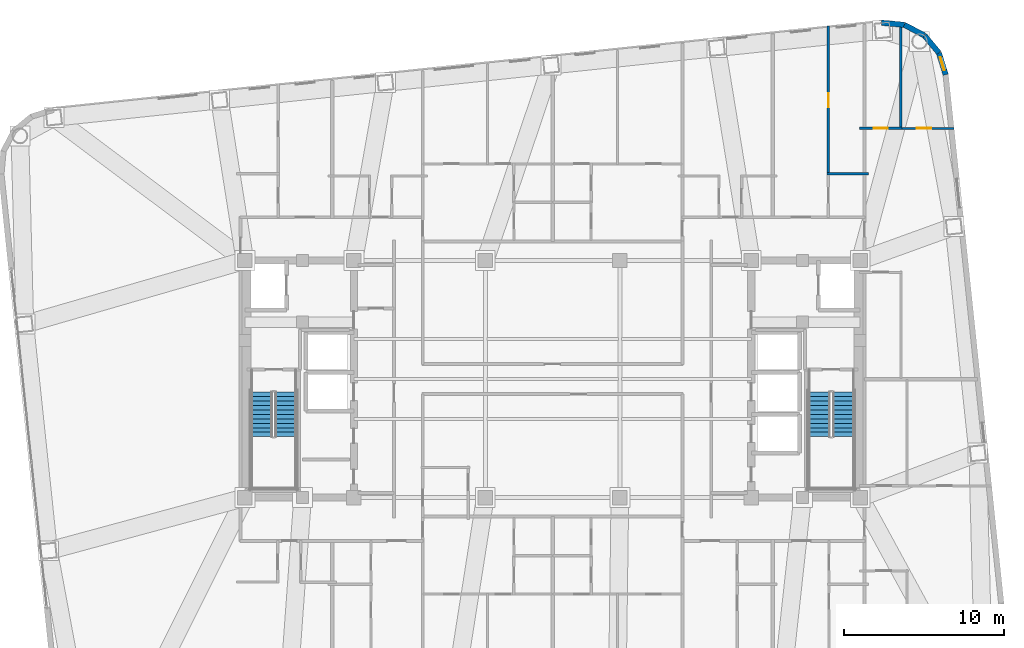
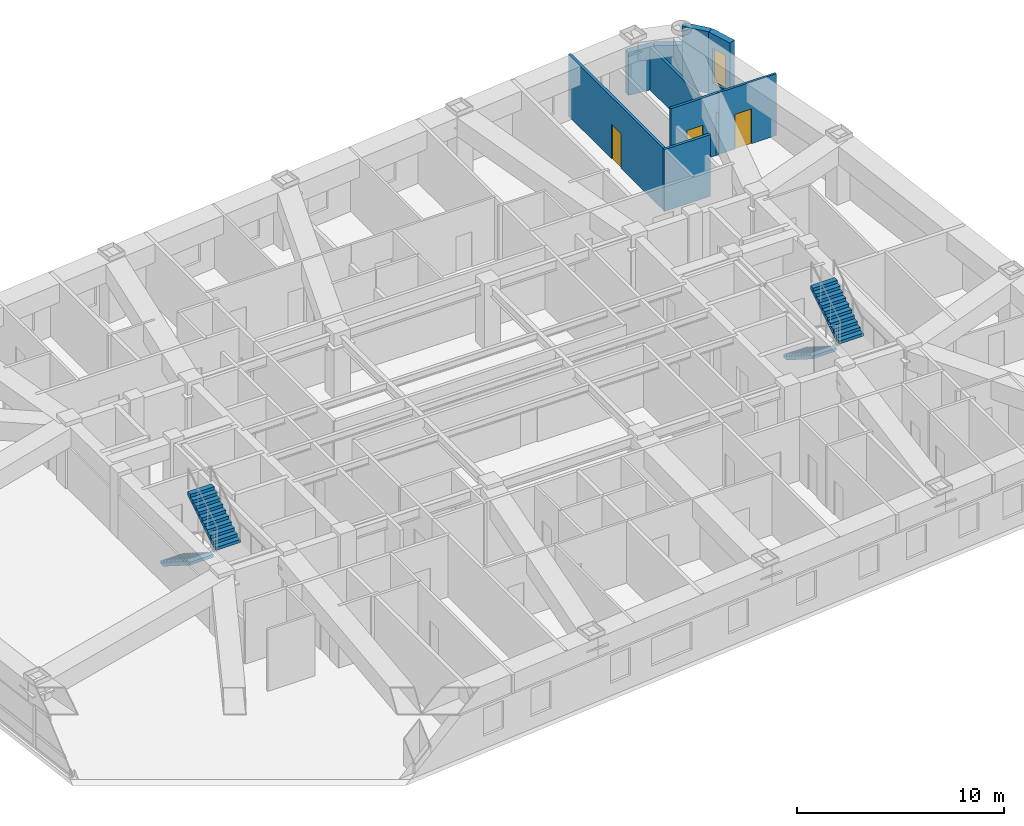
# One storey, part 12 of 14: 9 walls, 4 stair flights, 3 doors, 1 window, 4 openings, 2 elements without a shape of their own.
"""IFC4 building model written with IfcOpenShell, lengths in metres."""

from ifc_helpers import new_model, si_unit, direction, frame, frame_2d, origin, place, context, subcontext, project, spatial, polyline, rectangle, outline, extrude, material, layer, layer_set, type_object, element, fill, aggregate, save


model = new_model("IFC4")

# Units and contexts
model_context = context("Model", 3, precision=1e-05, world=origin(), true_north=direction((0.0, 1.0)))
body_context = subcontext(model_context, "Body", "Model", "MODEL_VIEW")
ifc_project = project(units=[si_unit("LENGTHUNIT", "METRE"), si_unit("AREAUNIT", "SQUARE_METRE"), si_unit("VOLUMEUNIT", "CUBIC_METRE"), si_unit("PLANEANGLEUNIT", "RADIAN"), si_unit("MASSUNIT", "GRAM", prefix="KILO")], contexts=[model_context])

# Site, building, storey
site_placement = place(None, origin())
site = spatial("IfcSite", under=ifc_project, at=site_placement, CompositionType="ELEMENT")
building_placement = place(site_placement, origin())
building = spatial("IfcBuilding", under=site, at=building_placement, Name="Voryun Gate Residences", CompositionType="ELEMENT")
storey_placement = place(building_placement, frame((0.0, 0.0, 144.300048828125)))
storey = spatial("IfcBuildingStorey", under=building, at=storey_placement, Name="L35", CompositionType="ELEMENT", Elevation=144.300048828125)

# Walls
ifc_material_1 = material(Name="Charcoal terracotta masonry", Category="masonry")
ifc_layer_1 = layer(ifc_material_1, 0.340087890625, Name="W_EXT_TERRACOTTA_340")
ifc_layer_set_1 = layer_set([ifc_layer_1], Name="Charcoal terracotta masonry")
wall_type_1 = type_object("IfcWallType", Name="W_EXT_TERRACOTTA_340", PredefinedType="ELEMENTEDWALL", material=ifc_layer_set_1)
wall_1_placement = place(storey_placement, frame((20.5263671875, 22.235107421875, 0.0), z_axis=(0.0, 0.0, 1.0), x_axis=(0.995800460351, -0.091550222087, 0.0)))
element("IfcWall", 1, at=wall_1_placement, inside=storey, type_object=wall_type_1, Name="Exterior wall WEXT-L35-12", PredefinedType="ELEMENTEDWALL", context=body_context, shape_type="SweptSolid", body=[
    extrude(rectangle(XDim=1.43212890625, YDim=0.340087890625, at=frame_2d((0.716064453125, 0.0))), origin(), (0.0, 0.0, 1.0), 2.5400390625),
])
wall_2_placement = place(storey_placement, frame((21.952392578125, 22.10400390625, 0.0), z_axis=(0.0, 0.0, 1.0), x_axis=(0.885023004245, -0.465547292933, 0.0)))
element("IfcWall", 2, at=wall_2_placement, inside=storey, type_object=wall_type_1, Name="Exterior wall WEXT-L35-13", PredefinedType="ELEMENTEDWALL", context=body_context, shape_type="SweptSolid", body=[
    extrude(rectangle(XDim=1.414794921875, YDim=0.340087890625, at=frame_2d((0.70751953125, 0.0))), origin(), (0.0, 0.0, 1.0), 2.5400390625),
])
wall_3_placement = place(storey_placement, frame((23.20458984375, 21.4453125, 0.0), z_axis=(0.0, 0.0, 1.0), x_axis=(0.639539337522, -0.768758372808, 0.0)))
element("IfcWall", 3, at=wall_3_placement, inside=storey, type_object=wall_type_1, Name="Exterior wall WEXT-L35-14", PredefinedType="ELEMENTEDWALL", context=body_context, shape_type="SweptSolid", body=[
    extrude(rectangle(XDim=1.4150390625, YDim=0.340087890625, at=frame_2d((0.70751953125, 0.0))), origin(), (0.0, 0.0, 1.0), 3.64990234375),
])

# Wall, opening, window
wall_4_placement = place(storey_placement, frame((24.109619140625, 20.357421875, 0.0), z_axis=(0.0, 0.0, 1.0), x_axis=(0.296420660287, -0.955057481074, 0.0)))
wall_4 = element("IfcWall", 4, at=wall_4_placement, inside=storey, type_object=wall_type_1, Name="Exterior wall WEXT-L35-15", PredefinedType="ELEMENTEDWALL", context=body_context, shape_type="SweptSolid", body=[
    extrude(rectangle(XDim=1.432373046875, YDim=0.340087890625, at=frame_2d((0.71630859375, 0.0))), origin(), (0.0, 0.0, 1.0), 3.64990234375),
])
opening_1_placement = place(wall_4_placement, frame((0.291015625, 0.0, 0.75)))
opening_1 = element("IfcOpeningElement", 5, at=opening_1_placement, cuts=wall_4, Name="Opening WN9", PredefinedType="OPENING", context=body_context, shape_type="SweptSolid", body=[
    extrude(rectangle(XDim=0.85009765625, YDim=2.050048828125, at=frame_2d((0.425048828125, 1.02490234375))), frame((0.0, 0.179931640625, 0.0), z_axis=(0.0, -1.0, 0.0), x_axis=(1.0, 0.0, 0.0)), (0.0, 0.0, 1.0), 0.360107421875),
])
ifc_material_2 = material(Name="Laminated low-E glass", Category="glass")
window_type = type_object("IfcWindowType", Name="WN_RES_CASEMENT_850", PartitioningType="SINGLE_PANEL", PredefinedType="WINDOW", material=ifc_material_2)
window_placement = place(opening_1_placement, origin())
window = element("IfcWindow", 6, at=window_placement, inside=storey, type_object=window_type, Name="Window WN-L35-DWFIX-21", OverallHeight=2.050048828125, OverallWidth=0.85009765625, PartitioningType="SINGLE_PANEL", PredefinedType="WINDOW", context=body_context, shape_type="SweptSolid", body=[
    extrude(rectangle(XDim=0.85009765625, YDim=2.050048828125, at=frame_2d((0.425048828125, 1.02490234375))), frame((0.0, 0.030029296875, 0.0), z_axis=(0.0, -1.0, 0.0), x_axis=(1.0, 0.0, 0.0)), (0.0, 0.0, 1.0), 0.06005859375),
])
fill(opening_1, window)

# Wall, opening, door
ifc_material_3 = material(Name="Gypsum acoustic partition")
ifc_layer_2 = layer(ifc_material_3, 0.125, Name="W_UNIT_PART_125")
ifc_layer_set_2 = layer_set([ifc_layer_2], Name="Gypsum acoustic partition")
wall_type_2 = type_object("IfcWallType", Name="W_UNIT_PART_125", PredefinedType="PARTITIONING", material=ifc_layer_set_2)
wall_5_placement = place(storey_placement, frame((21.6689453125, 15.64208984375, 0.0), z_axis=(0.0, 0.0, 1.0), x_axis=(1.0, 0.0, 0.0)))
wall_5 = element("IfcWall", 7, at=wall_5_placement, inside=storey, type_object=wall_type_2, Name="Partition wall WP-L35-E2-OHZ", PredefinedType="PARTITIONING", context=body_context, shape_type="SweptSolid", body=[
    extrude(rectangle(XDim=3.367919921875, YDim=0.125, at=frame_2d((1.68408203125, 0.0))), origin(), (0.0, 0.0, 1.0), 3.64990234375),
])
opening_2_placement = place(wall_5_placement, frame((1.065673828125, 0.0, 0.0)))
opening_2 = element("IfcOpeningElement", 8, at=opening_2_placement, cuts=wall_5, Name="Opening D-INT-2", PredefinedType="OPENING", context=body_context, shape_type="SweptSolid", body=[
    extrude(rectangle(XDim=0.89990234375, YDim=2.050048828125, at=frame_2d((0.449951171875, 1.02490234375))), frame((0.0, 0.072509765625, 0.0), z_axis=(0.0, -1.0, 0.0), x_axis=(1.0, 0.0, 0.0)), (0.0, 0.0, 1.0), 0.14501953125),
])
ifc_material_4 = material(Name="Architectural oak veneer")
door_type = type_object("IfcDoorType", Name="DR_INT_BATH_900", OperationType="NOTDEFINED", PredefinedType="DOOR", material=ifc_material_4)
door_1_placement = place(opening_2_placement, origin())
door_1 = element("IfcDoor", 9, at=door_1_placement, inside=storey, type_object=door_type, Name="Door DR-L35-E2-DMB", OperationType="SINGLE_SWING_LEFT", OverallHeight=2.050048828125, OverallWidth=0.89990234375, PredefinedType="DOOR", context=body_context, shape_type="SweptSolid", body=[
    extrude(rectangle(XDim=0.89990234375, YDim=2.050048828125, at=frame_2d((0.449951171875, 1.02490234375))), frame((0.0, 0.02490234375, 0.0), z_axis=(0.0, -1.0, 0.0), x_axis=(1.0, 0.0, 0.0)), (0.0, 0.0, 1.0), 0.050048828125),
])
fill(opening_2, door_1)

# Wall
ifc_material_5 = material(Name="Gypsum moisture-resistant partition")
ifc_layer_3 = layer(ifc_material_5, 0.14990234375, Name="W_WET_PLUMB_150")
ifc_layer_set_3 = layer_set([ifc_layer_3], Name="Gypsum moisture-resistant partition")
wall_type_3 = type_object("IfcWallType", Name="W_WET_PLUMB_150", PredefinedType="PLUMBINGWALL", material=ifc_layer_set_3)
wall_6_placement = place(storey_placement, frame((17.135986328125, 12.800048828125, 0.0), z_axis=(0.0, 0.0, 1.0), x_axis=(1.0, 0.0, 0.0)))
element("IfcWall", 10, at=wall_6_placement, inside=storey, type_object=wall_type_3, Name="Partition wall WP-L35-N5-SKB", PredefinedType="PLUMBINGWALL", context=body_context, shape_type="SweptSolid", body=[
    extrude(rectangle(XDim=2.583984375, YDim=0.14990234375, at=frame_2d((1.2919921875, 0.0))), origin(), (0.0, 0.0, 1.0), 3.64990234375),
])

# Wall, opening, door
wall_7_placement = place(storey_placement, frame((17.216064453125, 12.760009765625, 0.0), z_axis=(0.0, 0.0, 1.0), x_axis=(0.0, 1.0, 0.0)))
wall_7 = element("IfcWall", 11, at=wall_7_placement, inside=storey, type_object=wall_type_3, Name="Partition wall WP-L35-N5-SVT2", PredefinedType="PLUMBINGWALL", context=body_context, shape_type="SweptSolid", body=[
    extrude(rectangle(XDim=9.278076171875, YDim=0.14990234375, at=frame_2d((4.63916015625, 0.0))), origin(), (0.0, 0.0, 1.0), 3.64990234375),
])
opening_3_placement = place(wall_7_placement, frame((4.18896484375, 0.0, 0.0)))
opening_3 = element("IfcOpeningElement", 12, at=opening_3_placement, cuts=wall_7, Name="Opening D-INT-2", PredefinedType="OPENING", context=body_context, shape_type="SweptSolid", body=[
    extrude(rectangle(XDim=0.89990234375, YDim=2.050048828125, at=frame_2d((0.449951171875, 1.02490234375))), frame((0.0, 0.0849609375, 0.0), z_axis=(0.0, -1.0, 0.0), x_axis=(1.0, 0.0, 0.0)), (0.0, 0.0, 1.0), 0.169921875),
])
door_2_placement = place(opening_3_placement, origin())
door_2 = element("IfcDoor", 13, at=door_2_placement, inside=storey, type_object=door_type, Name="Door DR-L35-N5-DK", OperationType="SINGLE_SWING_RIGHT", OverallHeight=2.050048828125, OverallWidth=0.89990234375, PredefinedType="DOOR", context=body_context, shape_type="SweptSolid", body=[
    extrude(rectangle(XDim=0.89990234375, YDim=2.050048828125, at=frame_2d((0.449951171875, 1.02490234375))), frame((0.0, 0.02490234375, 0.0), z_axis=(0.0, -1.0, 0.0), x_axis=(1.0, 0.0, 0.0)), (0.0, 0.0, 1.0), 0.050048828125),
])
fill(opening_3, door_2)

wall_8_placement = place(storey_placement, frame((19.14990234375, 15.64208984375, 0.0), z_axis=(0.0, 0.0, 1.0), x_axis=(1.0, 0.0, 0.0)))
wall_8 = element("IfcWall", 14, at=wall_8_placement, inside=storey, type_object=wall_type_3, Name="Partition wall WP-L35-E2-IBB", PredefinedType="PLUMBINGWALL", context=body_context, shape_type="SweptSolid", body=[
    extrude(rectangle(XDim=2.6591796875, YDim=0.14990234375, at=frame_2d((1.32958984375, 0.0))), origin(), (0.0, 0.0, 1.0), 3.64990234375),
])
opening_4_placement = place(wall_8_placement, frame((0.87939453125, 0.0, 0.0)))
opening_4 = element("IfcOpeningElement", 15, at=opening_4_placement, cuts=wall_8, Name="Opening D-INT-2", PredefinedType="OPENING", context=body_context, shape_type="SweptSolid", body=[
    extrude(rectangle(XDim=0.89990234375, YDim=2.050048828125, at=frame_2d((0.449951171875, 1.02490234375))), frame((0.0, 0.0849609375, 0.0), z_axis=(0.0, -1.0, 0.0), x_axis=(1.0, 0.0, 0.0)), (0.0, 0.0, 1.0), 0.169921875),
])
door_3_placement = place(opening_4_placement, origin())
door_3 = element("IfcDoor", 16, at=door_3_placement, inside=storey, type_object=door_type, Name="Door DR-L35-E2-DB", OperationType="SINGLE_SWING_RIGHT", OverallHeight=2.050048828125, OverallWidth=0.89990234375, PredefinedType="DOOR", context=body_context, shape_type="SweptSolid", body=[
    extrude(rectangle(XDim=0.89990234375, YDim=2.050048828125, at=frame_2d((0.449951171875, 1.02490234375))), frame((0.0, 0.02490234375, 0.0), z_axis=(0.0, -1.0, 0.0), x_axis=(1.0, 0.0, 0.0)), (0.0, 0.0, 1.0), 0.050048828125),
])
fill(opening_4, door_3)

# Wall
wall_9_placement = place(storey_placement, frame((21.72900390625, 15.56201171875, 0.0), z_axis=(0.0, 0.0, 1.0), x_axis=(0.0, 1.0, 0.0)))
element("IfcWall", 17, at=wall_9_placement, inside=storey, type_object=wall_type_3, Name="Partition wall WP-L35-E2-VTB", PredefinedType="PLUMBINGWALL", context=body_context, shape_type="SweptSolid", body=[
    extrude(rectangle(XDim=6.71337890625, YDim=0.14990234375, at=frame_2d((3.356689453125, 0.0))), origin(), (0.0, 0.0, 1.0), 2.5400390625),
])

# Stair, stair flights
ifc_material_6 = material(Name="Concrete C40/50", Category="concrete")
stair_type = type_object("IfcStairType", Name="STR_CORE_DOGLEG_1350", PredefinedType="HALF_TURN_STAIR", material=ifc_material_6)
stair_1_placement = place(storey_placement, origin())
stair_1 = element("IfcStair", 18, at=stair_1_placement, inside=storey, type_object=stair_type, Name="L35 Special Escape Stair ST-W1", PredefinedType="HALF_TURN_STAIR")
ifc_material_7 = material(Name="Concrete C40/50", Category="concrete")
stair_flight_type = type_object("IfcStairFlightType", Name="FLT_CORE_1350", PredefinedType="STRAIGHT", material=ifc_material_7)
stair_flight_1_placement = place(storey_placement, frame((-18.14990234375, -0.800048828125, 0.0), z_axis=(0.0, 0.0, 1.0), x_axis=(0.0, -1.0, 0.0)))
stair_flight_1 = element("IfcStairFlight", 19, at=stair_flight_1_placement, type_object=stair_flight_type, Name="ST-W1 flight 1", NumberOfRisers=11, NumberOfTreads=10, PredefinedType="STRAIGHT", RiserHeight=0.177272727, TreadLength=0.28, context=body_context, shape_type="SweptSolid", body=[
    extrude(outline(polyline([(0.0, 0.0), (0.0, 0.17724609375), (0.280029296875, 0.17724609375), (0.280029296875, 0.3544921875), (0.56005859375, 0.3544921875), (0.56005859375, 0.53173828125), (0.840087890625, 0.53173828125), (0.840087890625, 0.708984375), (1.1201171875, 0.708984375), (1.1201171875, 0.886474609375), (1.39990234375, 0.886474609375), (1.39990234375, 1.063720703125), (1.679931640625, 1.063720703125), (1.679931640625, 1.240966796875), (1.9599609375, 1.240966796875), (1.9599609375, 1.418212890625), (2.239990234375, 1.418212890625), (2.239990234375, 1.595458984375), (2.52001953125, 1.595458984375), (2.52001953125, 1.772705078125), (2.800048828125, 1.772705078125), (2.800048828125, 1.949951171875), (2.800048828125, 1.59521484375), (0.2802734375, 0.0), (0.0, 0.0)])), frame((0.0, 0.675048828125, 0.0), z_axis=(0.0, -1.0, 0.0), x_axis=(1.0, 0.0, 0.0)), (0.0, 0.0, 1.0), 1.35009765625),
])
stair_flight_2_placement = place(storey_placement, frame((-16.64990234375, -3.60009765625, 1.949951171875), z_axis=(0.0, 0.0, 1.0), x_axis=(0.0, 1.0, 0.0)))
stair_flight_2 = element("IfcStairFlight", 20, at=stair_flight_2_placement, type_object=stair_flight_type, Name="ST-W1 flight 2", NumberOfRisers=11, NumberOfTreads=10, PredefinedType="STRAIGHT", RiserHeight=0.177272727, TreadLength=0.28, context=body_context, shape_type="SweptSolid", body=[
    extrude(outline(polyline([(0.0, 0.0), (0.0, 0.17724609375), (0.280029296875, 0.17724609375), (0.280029296875, 0.3544921875), (0.56005859375, 0.3544921875), (0.56005859375, 0.53173828125), (0.840087890625, 0.53173828125), (0.840087890625, 0.708984375), (1.1201171875, 0.708984375), (1.1201171875, 0.886474609375), (1.39990234375, 0.886474609375), (1.39990234375, 1.063720703125), (1.679931640625, 1.063720703125), (1.679931640625, 1.240966796875), (1.9599609375, 1.240966796875), (1.9599609375, 1.418212890625), (2.239990234375, 1.418212890625), (2.239990234375, 1.595458984375), (2.52001953125, 1.595458984375), (2.52001953125, 1.772705078125), (2.800048828125, 1.772705078125), (2.800048828125, 1.949951171875), (2.800048828125, 1.59521484375), (0.2802734375, 0.0), (0.0, 0.0)])), frame((0.0, 0.675048828125, 0.0), z_axis=(0.0, -1.0, 0.0), x_axis=(1.0, 0.0, 0.0)), (0.0, 0.0, 1.0), 1.35009765625),
])
aggregate(stair_1, [stair_flight_1, stair_flight_2])

stair_2_placement = place(storey_placement, origin())
stair_2 = element("IfcStair", 21, at=stair_2_placement, inside=storey, type_object=stair_type, Name="L35 Special Escape Stair ST-E1", PredefinedType="HALF_TURN_STAIR")
stair_flight_3_placement = place(storey_placement, frame((16.64990234375, -0.800048828125, 0.0), z_axis=(0.0, 0.0, 1.0), x_axis=(0.0, -1.0, 0.0)))
stair_flight_3 = element("IfcStairFlight", 22, at=stair_flight_3_placement, type_object=stair_flight_type, Name="ST-E1 flight 1", NumberOfRisers=11, NumberOfTreads=10, PredefinedType="STRAIGHT", RiserHeight=0.177272727, TreadLength=0.28, context=body_context, shape_type="SweptSolid", body=[
    extrude(outline(polyline([(0.0, 0.0), (0.0, 0.17724609375), (0.280029296875, 0.17724609375), (0.280029296875, 0.3544921875), (0.56005859375, 0.3544921875), (0.56005859375, 0.53173828125), (0.840087890625, 0.53173828125), (0.840087890625, 0.708984375), (1.1201171875, 0.708984375), (1.1201171875, 0.886474609375), (1.39990234375, 0.886474609375), (1.39990234375, 1.063720703125), (1.679931640625, 1.063720703125), (1.679931640625, 1.240966796875), (1.9599609375, 1.240966796875), (1.9599609375, 1.418212890625), (2.239990234375, 1.418212890625), (2.239990234375, 1.595458984375), (2.52001953125, 1.595458984375), (2.52001953125, 1.772705078125), (2.800048828125, 1.772705078125), (2.800048828125, 1.949951171875), (2.800048828125, 1.59521484375), (0.2802734375, 0.0), (0.0, 0.0)])), frame((0.0, 0.675048828125, 0.0), z_axis=(0.0, -1.0, 0.0), x_axis=(1.0, 0.0, 0.0)), (0.0, 0.0, 1.0), 1.35009765625),
])
stair_flight_4_placement = place(storey_placement, frame((18.14990234375, -3.60009765625, 1.949951171875), z_axis=(0.0, 0.0, 1.0), x_axis=(0.0, 1.0, 0.0)))
stair_flight_4 = element("IfcStairFlight", 23, at=stair_flight_4_placement, type_object=stair_flight_type, Name="ST-E1 flight 2", NumberOfRisers=11, NumberOfTreads=10, PredefinedType="STRAIGHT", RiserHeight=0.177272727, TreadLength=0.28, context=body_context, shape_type="SweptSolid", body=[
    extrude(outline(polyline([(0.0, 0.0), (0.0, 0.17724609375), (0.280029296875, 0.17724609375), (0.280029296875, 0.3544921875), (0.56005859375, 0.3544921875), (0.56005859375, 0.53173828125), (0.840087890625, 0.53173828125), (0.840087890625, 0.708984375), (1.1201171875, 0.708984375), (1.1201171875, 0.886474609375), (1.39990234375, 0.886474609375), (1.39990234375, 1.063720703125), (1.679931640625, 1.063720703125), (1.679931640625, 1.240966796875), (1.9599609375, 1.240966796875), (1.9599609375, 1.418212890625), (2.239990234375, 1.418212890625), (2.239990234375, 1.595458984375), (2.52001953125, 1.595458984375), (2.52001953125, 1.772705078125), (2.800048828125, 1.772705078125), (2.800048828125, 1.949951171875), (2.800048828125, 1.59521484375), (0.2802734375, 0.0), (0.0, 0.0)])), frame((0.0, 0.675048828125, 0.0), z_axis=(0.0, -1.0, 0.0), x_axis=(1.0, 0.0, 0.0)), (0.0, 0.0, 1.0), 1.35009765625),
])
aggregate(stair_2, [stair_flight_3, stair_flight_4])

save(model, "model.ifc")
